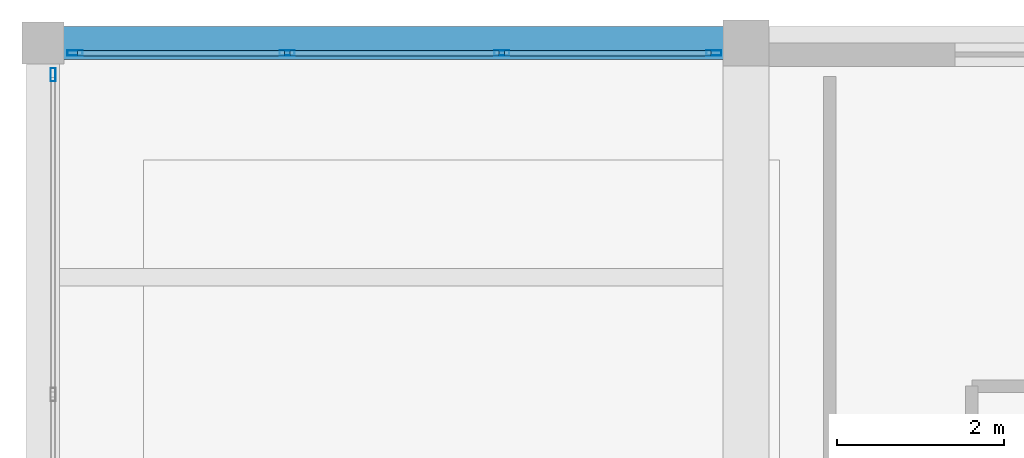
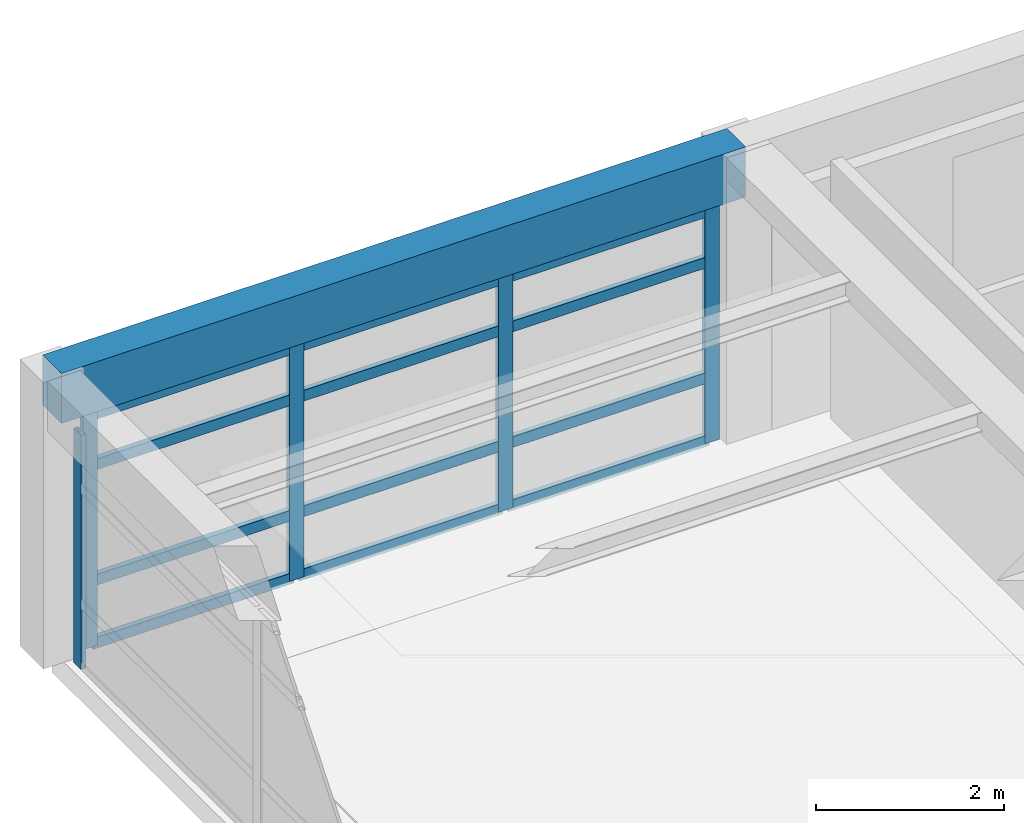
# One storey, part 11 of 20: 17 members, 1 beam, 2 elements without a shape of their own.
"""IFC4 building model written with IfcOpenShell, lengths in metres."""

from ifc_helpers import new_model, si_unit, direction, frame, origin, origin_2d, place, context, subcontext, project, spatial, rectangle, hollow_rectangle, extrude, material, material_profile, profile_set, type_object, element, aggregate, save


model = new_model("IFC4")

# Units and contexts
model_context = context("Model", 3, precision=1e-05, world=origin(), true_north=direction((0.0, 1.0)))
body_context = subcontext(model_context, "Body", "Model", "MODEL_VIEW")
ifc_project = project(units=[si_unit("LENGTHUNIT", "METRE"), si_unit("AREAUNIT", "SQUARE_METRE"), si_unit("VOLUMEUNIT", "CUBIC_METRE"), si_unit("PLANEANGLEUNIT", "RADIAN"), si_unit("MASSUNIT", "GRAM", prefix="KILO")], contexts=[model_context])

# Site, building, storey
site_placement = place(None, origin())
site = spatial("IfcSite", under=ifc_project, at=site_placement, CompositionType="ELEMENT")
building_placement = place(site_placement, origin())
building = spatial("IfcBuilding", under=site, at=building_placement, Name="Almacenes y Pasaje Nevantli", CompositionType="ELEMENT")
storey_placement = place(building_placement, frame((0.0, 0.0, 62.699951171875)))
storey = spatial("IfcBuildingStorey", under=building, at=storey_placement, Name="L15", CompositionType="ELEMENT", Elevation=62.699951171875)

# Beam
ifc_material_1 = material(Name="Concrete C35/45", Category="concrete")
ifc_material_profile_1 = material_profile(ifc_material_1, rectangle(XDim=0.39990234375, YDim=0.64990234375, at=origin_2d()), Name="RC-BM-400x650")
ifc_profile_set_1 = profile_set([ifc_material_profile_1], Name="Concrete C35/45")
beam_type = type_object("IfcBeamType", Name="BM-RC-400x650", PredefinedType="SPANDREL", material=ifc_profile_set_1)
beam_placement = place(storey_placement, frame((117.60009765625, 92.39990234375, 3.39501953125), z_axis=(1.0, 0.0, 0.0), x_axis=(0.0, 1.0, 0.0)))
element("IfcBeam", 1, at=beam_placement, inside=storey, type_object=beam_type, Name="L15 East-West Reinforced Concrete Beam #4026", PredefinedType="SPANDREL", context=body_context, shape_type="SweptSolid", body=[
    extrude(rectangle(XDim=0.39990234375, YDim=0.64990234375, at=origin_2d()), origin(), (0.0, 0.0, 1.0), 8.39990234375),
])

# Curtain wall, member
ifc_material_2 = material(Name="Thermally Broken Aluminium and Low-E Glass", Category="aluminium")
curtain_wall_type = type_object("IfcCurtainWallType", Name="CW-UNIT-TOWER", PredefinedType="USERDEFINED", material=ifc_material_2)
curtain_wall_1_placement = place(storey_placement, origin())
curtain_wall_1 = element("IfcCurtainWall", 2, at=curtain_wall_1_placement, inside=storey, type_object=curtain_wall_type, Name="L15 Tower West Curtain Wall Bay 11", ObjectType="UNITIZED CURTAIN WALL", PredefinedType="USERDEFINED")
ifc_material_3 = material(Name="Thermally Broken Anodized Aluminium", Category="aluminium")
ifc_material_profile_2 = material_profile(ifc_material_3, hollow_rectangle(XDim=0.06005859375, YDim=0.159912109375, WallThickness=0.00390625, at=origin_2d()), Name="ALU-MUL-60x160")
ifc_profile_set_2 = profile_set([ifc_material_profile_2], Name="Thermally Broken Anodized Aluminium")
member_type_1 = type_object("IfcMemberType", Name="CW-MUL-180", PredefinedType="MULLION", material=ifc_profile_set_2)
member_1_placement = place(storey_placement, frame((117.719970703125, 92.02001953125, 0.0), z_axis=(0.0, 0.0, 1.0), x_axis=(-1.0, 0.0, 0.0)))
member_1 = element("IfcMember", 3, at=member_1_placement, type_object=member_type_1, Name="CW-L15-190 mullion 3", PredefinedType="MULLION", context=body_context, shape_type="SweptSolid", body=[
    extrude(hollow_rectangle(XDim=0.06005859375, YDim=0.159912109375, WallThickness=0.00390625, at=origin_2d()), origin(), (0.0, 0.0, 1.0), 3.0400390625),
])
aggregate(curtain_wall_1, [member_1])

# Curtain wall, members
curtain_wall_2_placement = place(storey_placement, origin())
curtain_wall_2 = element("IfcCurtainWall", 4, at=curtain_wall_2_placement, inside=storey, type_object=curtain_wall_type, Name="L15 Tower North Boulevard Unitized Curtain Wall Bay 15", ObjectType="UNITIZED CURTAIN WALL", PredefinedType="USERDEFINED")
ifc_material_4 = material(Name="Thermally Broken Anodized Aluminium", Category="aluminium")
ifc_material_profile_3 = material_profile(ifc_material_4, hollow_rectangle(XDim=0.06494140625, YDim=0.179931640625, WallThickness=0.00390625, at=origin_2d()), Name="ALU-MUL-65x180")
ifc_profile_set_3 = profile_set([ifc_material_profile_3], Name="Thermally Broken Anodized Aluminium")
member_type_2 = type_object("IfcMemberType", Name="CW-MUL-200", PredefinedType="MULLION", material=ifc_profile_set_3)
member_2_placement = place(storey_placement, frame((117.982421875, 92.280029296875, 0.0), z_axis=(0.0, 0.0, 1.0), x_axis=(0.0, 1.0, 0.0)))
member_2 = element("IfcMember", 5, at=member_2_placement, type_object=member_type_2, Name="CW-L15-184 mullion 1", PredefinedType="MULLION", context=body_context, shape_type="SweptSolid", body=[
    extrude(hollow_rectangle(XDim=0.06494140625, YDim=0.179931640625, WallThickness=0.00390625, at=origin_2d()), origin(), (0.0, 0.0, 1.0), 3.0400390625),
])
member_3_placement = place(storey_placement, frame((120.5166015625, 92.280029296875, 0.0), z_axis=(0.0, 0.0, 1.0), x_axis=(0.0, 1.0, 0.0)))
member_3 = element("IfcMember", 6, at=member_3_placement, type_object=member_type_2, Name="CW-L15-184 mullion 2", PredefinedType="MULLION", context=body_context, shape_type="SweptSolid", body=[
    extrude(hollow_rectangle(XDim=0.06494140625, YDim=0.179931640625, WallThickness=0.00390625, at=origin_2d()), origin(), (0.0, 0.0, 1.0), 3.0400390625),
])
member_4_placement = place(storey_placement, frame((123.083251953125, 92.280029296875, 0.0), z_axis=(0.0, 0.0, 1.0), x_axis=(0.0, 1.0, 0.0)))
member_4 = element("IfcMember", 7, at=member_4_placement, type_object=member_type_2, Name="CW-L15-184 mullion 3", PredefinedType="MULLION", context=body_context, shape_type="SweptSolid", body=[
    extrude(hollow_rectangle(XDim=0.06494140625, YDim=0.179931640625, WallThickness=0.00390625, at=origin_2d()), origin(), (0.0, 0.0, 1.0), 3.0400390625),
])
member_5_placement = place(storey_placement, frame((125.617431640625, 92.280029296875, 0.0), z_axis=(0.0, 0.0, 1.0), x_axis=(0.0, 1.0, 0.0)))
member_5 = element("IfcMember", 8, at=member_5_placement, type_object=member_type_2, Name="CW-L15-184 mullion 4", PredefinedType="MULLION", context=body_context, shape_type="SweptSolid", body=[
    extrude(hollow_rectangle(XDim=0.06494140625, YDim=0.179931640625, WallThickness=0.00390625, at=origin_2d()), origin(), (0.0, 0.0, 1.0), 3.0400390625),
])
ifc_material_5 = material(Name="Thermally Broken Anodized Aluminium", Category="aluminium")
ifc_material_profile_4 = material_profile(ifc_material_5, hollow_rectangle(XDim=0.06494140625, YDim=0.139892578125, WallThickness=0.00390625, at=origin_2d()), Name="ALU-TRN-65x140")
ifc_profile_set_4 = profile_set([ifc_material_profile_4], Name="Thermally Broken Anodized Aluminium")
member_type_3 = type_object("IfcMemberType", Name="CW-TRN-150", PredefinedType="USERDEFINED", material=ifc_profile_set_4)
member_6_placement = place(storey_placement, frame((118.014892578125, 92.280029296875, 0.032470703125), z_axis=(1.0, 0.0, 0.0), x_axis=(0.0, 1.0, 0.0)))
member_6 = element("IfcMember", 9, at=member_6_placement, type_object=member_type_3, Name="CW-L15-184 transom 1.1", ObjectType="TRANSOM", PredefinedType="USERDEFINED", context=body_context, shape_type="SweptSolid", body=[
    extrude(hollow_rectangle(XDim=0.06494140625, YDim=0.139892578125, WallThickness=0.00390625, at=origin_2d()), origin(), (0.0, 0.0, 1.0), 2.46923828125),
])
member_7_placement = place(storey_placement, frame((118.014892578125, 92.280029296875, 0.85009765625), z_axis=(1.0, 0.0, 0.0), x_axis=(0.0, 1.0, 0.0)))
member_7 = element("IfcMember", 10, at=member_7_placement, type_object=member_type_3, Name="CW-L15-184 transom 1.2", ObjectType="TRANSOM", PredefinedType="USERDEFINED", context=body_context, shape_type="SweptSolid", body=[
    extrude(hollow_rectangle(XDim=0.06494140625, YDim=0.139892578125, WallThickness=0.00390625, at=origin_2d()), origin(), (0.0, 0.0, 1.0), 2.46923828125),
])
member_8_placement = place(storey_placement, frame((118.014892578125, 92.280029296875, 2.35009765625), z_axis=(1.0, 0.0, 0.0), x_axis=(0.0, 1.0, 0.0)))
member_8 = element("IfcMember", 11, at=member_8_placement, type_object=member_type_3, Name="CW-L15-184 transom 1.3", ObjectType="TRANSOM", PredefinedType="USERDEFINED", context=body_context, shape_type="SweptSolid", body=[
    extrude(hollow_rectangle(XDim=0.06494140625, YDim=0.139892578125, WallThickness=0.00390625, at=origin_2d()), origin(), (0.0, 0.0, 1.0), 2.46923828125),
])
member_9_placement = place(storey_placement, frame((118.014892578125, 92.280029296875, 3.007568359375), z_axis=(1.0, 0.0, 0.0), x_axis=(0.0, 1.0, 0.0)))
member_9 = element("IfcMember", 12, at=member_9_placement, type_object=member_type_3, Name="CW-L15-184 transom 1.4", ObjectType="TRANSOM", PredefinedType="USERDEFINED", context=body_context, shape_type="SweptSolid", body=[
    extrude(hollow_rectangle(XDim=0.06494140625, YDim=0.139892578125, WallThickness=0.00390625, at=origin_2d()), origin(), (0.0, 0.0, 1.0), 2.46923828125),
])
member_10_placement = place(storey_placement, frame((120.549072265625, 92.280029296875, 0.032470703125), z_axis=(1.0, 0.0, 0.0), x_axis=(0.0, 1.0, 0.0)))
member_10 = element("IfcMember", 13, at=member_10_placement, type_object=member_type_3, Name="CW-L15-184 transom 2.1", ObjectType="TRANSOM", PredefinedType="USERDEFINED", context=body_context, shape_type="SweptSolid", body=[
    extrude(hollow_rectangle(XDim=0.06494140625, YDim=0.139892578125, WallThickness=0.00390625, at=origin_2d()), origin(), (0.0, 0.0, 1.0), 2.501708984375),
])
member_11_placement = place(storey_placement, frame((120.549072265625, 92.280029296875, 0.85009765625), z_axis=(1.0, 0.0, 0.0), x_axis=(0.0, 1.0, 0.0)))
member_11 = element("IfcMember", 14, at=member_11_placement, type_object=member_type_3, Name="CW-L15-184 transom 2.2", ObjectType="TRANSOM", PredefinedType="USERDEFINED", context=body_context, shape_type="SweptSolid", body=[
    extrude(hollow_rectangle(XDim=0.06494140625, YDim=0.139892578125, WallThickness=0.00390625, at=origin_2d()), origin(), (0.0, 0.0, 1.0), 2.501708984375),
])
member_12_placement = place(storey_placement, frame((120.549072265625, 92.280029296875, 2.35009765625), z_axis=(1.0, 0.0, 0.0), x_axis=(0.0, 1.0, 0.0)))
member_12 = element("IfcMember", 15, at=member_12_placement, type_object=member_type_3, Name="CW-L15-184 transom 2.3", ObjectType="TRANSOM", PredefinedType="USERDEFINED", context=body_context, shape_type="SweptSolid", body=[
    extrude(hollow_rectangle(XDim=0.06494140625, YDim=0.139892578125, WallThickness=0.00390625, at=origin_2d()), origin(), (0.0, 0.0, 1.0), 2.501708984375),
])
member_13_placement = place(storey_placement, frame((120.549072265625, 92.280029296875, 3.007568359375), z_axis=(1.0, 0.0, 0.0), x_axis=(0.0, 1.0, 0.0)))
member_13 = element("IfcMember", 16, at=member_13_placement, type_object=member_type_3, Name="CW-L15-184 transom 2.4", ObjectType="TRANSOM", PredefinedType="USERDEFINED", context=body_context, shape_type="SweptSolid", body=[
    extrude(hollow_rectangle(XDim=0.06494140625, YDim=0.139892578125, WallThickness=0.00390625, at=origin_2d()), origin(), (0.0, 0.0, 1.0), 2.501708984375),
])
member_14_placement = place(storey_placement, frame((123.11572265625, 92.280029296875, 0.032470703125), z_axis=(1.0, 0.0, 0.0), x_axis=(0.0, 1.0, 0.0)))
member_14 = element("IfcMember", 17, at=member_14_placement, type_object=member_type_3, Name="CW-L15-184 transom 3.1", ObjectType="TRANSOM", PredefinedType="USERDEFINED", context=body_context, shape_type="SweptSolid", body=[
    extrude(hollow_rectangle(XDim=0.06494140625, YDim=0.139892578125, WallThickness=0.00390625, at=origin_2d()), origin(), (0.0, 0.0, 1.0), 2.46923828125),
])
member_15_placement = place(storey_placement, frame((123.11572265625, 92.280029296875, 0.85009765625), z_axis=(1.0, 0.0, 0.0), x_axis=(0.0, 1.0, 0.0)))
member_15 = element("IfcMember", 18, at=member_15_placement, type_object=member_type_3, Name="CW-L15-184 transom 3.2", ObjectType="TRANSOM", PredefinedType="USERDEFINED", context=body_context, shape_type="SweptSolid", body=[
    extrude(hollow_rectangle(XDim=0.06494140625, YDim=0.139892578125, WallThickness=0.00390625, at=origin_2d()), origin(), (0.0, 0.0, 1.0), 2.46923828125),
])
member_16_placement = place(storey_placement, frame((123.11572265625, 92.280029296875, 2.35009765625), z_axis=(1.0, 0.0, 0.0), x_axis=(0.0, 1.0, 0.0)))
member_16 = element("IfcMember", 19, at=member_16_placement, type_object=member_type_3, Name="CW-L15-184 transom 3.3", ObjectType="TRANSOM", PredefinedType="USERDEFINED", context=body_context, shape_type="SweptSolid", body=[
    extrude(hollow_rectangle(XDim=0.06494140625, YDim=0.139892578125, WallThickness=0.00390625, at=origin_2d()), origin(), (0.0, 0.0, 1.0), 2.46923828125),
])
member_17_placement = place(storey_placement, frame((123.11572265625, 92.280029296875, 3.007568359375), z_axis=(1.0, 0.0, 0.0), x_axis=(0.0, 1.0, 0.0)))
member_17 = element("IfcMember", 20, at=member_17_placement, type_object=member_type_3, Name="CW-L15-184 transom 3.4", ObjectType="TRANSOM", PredefinedType="USERDEFINED", context=body_context, shape_type="SweptSolid", body=[
    extrude(hollow_rectangle(XDim=0.06494140625, YDim=0.139892578125, WallThickness=0.00390625, at=origin_2d()), origin(), (0.0, 0.0, 1.0), 2.46923828125),
])
aggregate(curtain_wall_2, [member_2, member_3, member_4, member_5, member_6, member_7, member_8, member_9, member_10, member_11, member_12, member_13, member_14, member_15, member_16, member_17])

save(model, "model.ifc")
